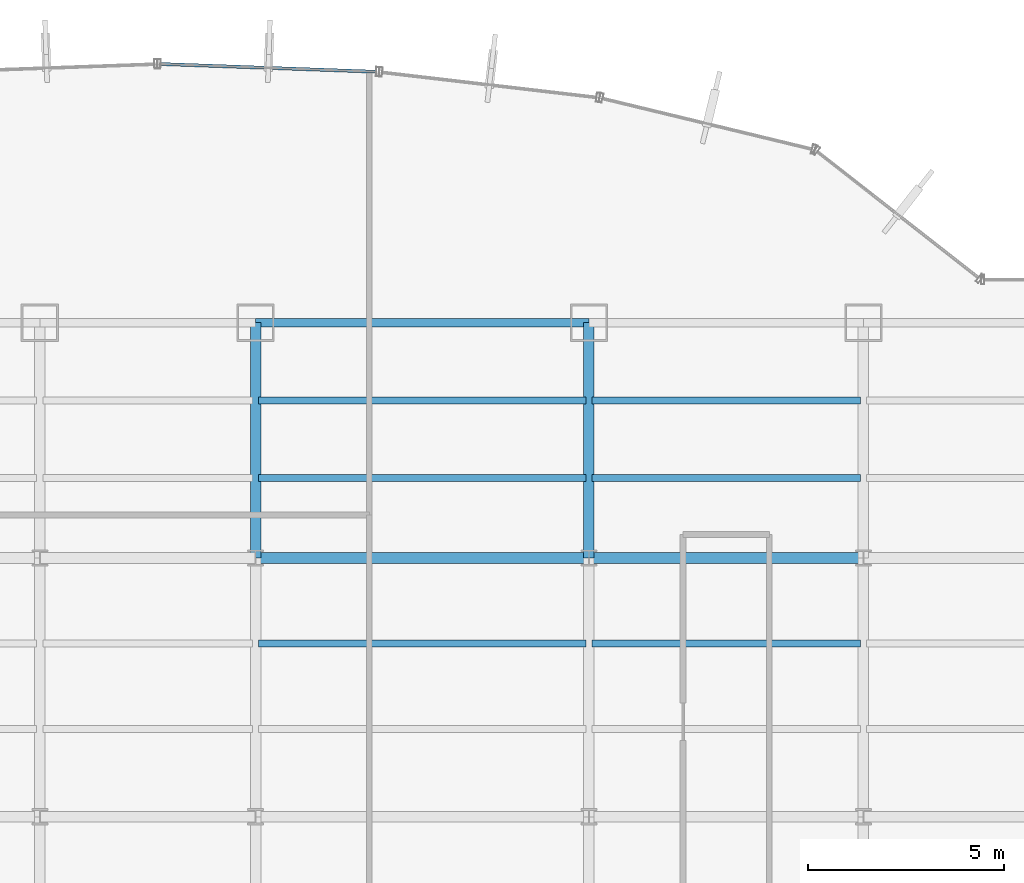
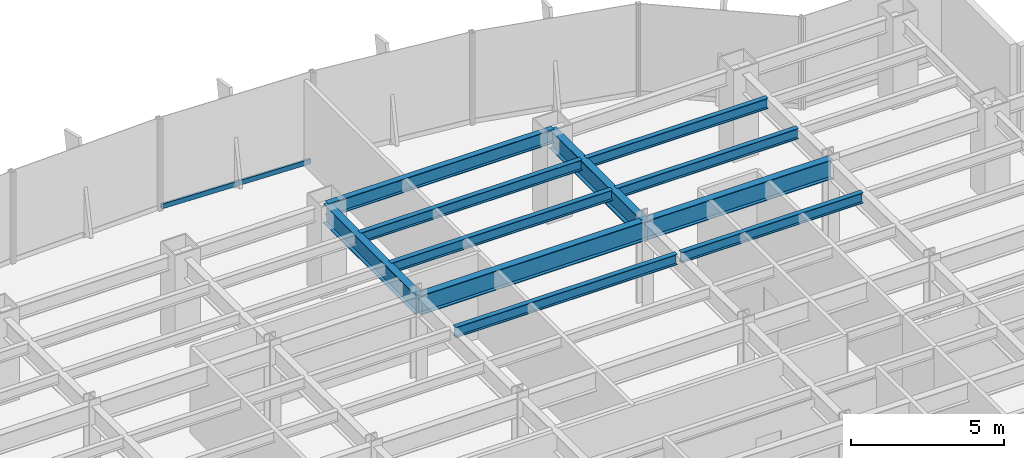
# One storey, part 13 of 22: 11 beams, 1 member, 1 element without a shape of its own.
"""IFC4 building model written with IfcOpenShell, lengths in metres."""

import ifcopenshell
import ifcopenshell.guid

model = None  # the IFC model being written
_history = None  # IfcOwnerHistory: only IFC2X3 demands one
_inside = {}  # id of a spatial element -> (the spatial element, [elements in it])
_under = {}  # id of a project, library or spatial element -> (it, [spatial elements below it])
_declared = {}  # id of a project -> (the project, [libraries it declares])
_typed = {}  # id of a type object -> (the type object, [elements of that type])
_made_of = {}  # id of a material, layer set ... -> (it, [elements and type objects made of it])


def new_model(schema):
    """Start an empty IFC model of exactly this schema.

    Asked for "IFC4X3", IfcOpenShell would pick the latest addendum, in which some entities
    have other attributes; the version numbers below select the first issue.
    IFC2X3 requires an IfcOwnerHistory on every rooted entity: one is made here for all.
    """
    global model, _history
    if schema == "IFC4X3":
        model = ifcopenshell.file(schema_version=(4, 3, 0, 0))
    else:
        model = ifcopenshell.file(schema=schema)
    _inside.clear()
    _under.clear()
    _declared.clear()
    _typed.clear()
    _made_of.clear()
    _history = None
    if model.schema == "IFC2X3":
        org = make("IfcOrganization", Name="unknown")
        user = make(
            "IfcPersonAndOrganization",
            ThePerson=make("IfcPerson", FamilyName="unknown"),
            TheOrganization=org,
        )
        app = make(
            "IfcApplication",
            ApplicationDeveloper=org,
            Version="unknown",
            ApplicationFullName="unknown",
            ApplicationIdentifier="unknown",
        )
        _history = make(
            "IfcOwnerHistory",
            OwningUser=user,
            OwningApplication=app,
            ChangeAction="ADDED",
            CreationDate=0,
        )
    return model


def make(cls, **values):
    """One entity of the class cls with the attributes given. An attribute that is None is left unset."""
    return model.create_entity(
        cls, **{name: value for name, value in values.items() if value is not None}
    )


def rooted(cls, **values):
    """An entity with a GlobalId (a new one), such as an element, a storey or a relation."""
    return make(cls, GlobalId=ifcopenshell.guid.new(), OwnerHistory=_history, **values)


def si_unit(unit_type, name, prefix=None):
    """IfcSIUnit, for example si_unit("LENGTHUNIT", "METRE", prefix="MILLI")."""
    return make("IfcSIUnit", UnitType=unit_type, Prefix=prefix, Name=name)


def derived_unit(unit_type, elements):
    """IfcDerivedUnit: a product of units, each with its exponent."""
    return make(
        "IfcDerivedUnit",
        Elements=[
            make("IfcDerivedUnitElement", Unit=unit, Exponent=power)
            for unit, power in elements
        ],
        UnitType=unit_type,
    )


def assignment(units):
    """IfcUnitAssignment: the units of a project."""
    return None if units is None else make("IfcUnitAssignment", Units=units)


def point(xyz):
    """IfcCartesianPoint."""
    return None if xyz is None else make("IfcCartesianPoint", Coordinates=xyz)


def direction(xyz):
    """IfcDirection."""
    return None if xyz is None else make("IfcDirection", DirectionRatios=xyz)


def frame(location, z_axis=None, x_axis=None):
    """IfcAxis2Placement3D, a coordinate frame: its origin and axes. An axis left out is left unset."""
    return make(
        "IfcAxis2Placement3D",
        Location=point(location),
        Axis=direction(z_axis),
        RefDirection=direction(x_axis),
    )


def frame_2d(location, x_axis=None):
    """IfcAxis2Placement2D, a coordinate frame in the plane: its origin and x axis."""
    return make(
        "IfcAxis2Placement2D", Location=point(location), RefDirection=direction(x_axis)
    )


def origin():
    """The frame at (0, 0, 0) with its axes left unset."""
    return frame((0.0, 0.0, 0.0))


def origin_2d():
    """The frame at (0, 0) in the plane with its x axis left unset."""
    return frame_2d((0.0, 0.0))


def place(relative_to, where):
    """IfcLocalPlacement: puts the frame where relative to a parent placement (None: the world)."""
    return make(
        "IfcLocalPlacement", PlacementRelTo=relative_to, RelativePlacement=where
    )


def context(
    kind, dimensions, precision=None, world=None, true_north=None, identifier=None
):
    """IfcGeometricRepresentationContext, for example the 3D "Model" context."""
    return make(
        "IfcGeometricRepresentationContext",
        ContextIdentifier=identifier,
        ContextType=kind,
        CoordinateSpaceDimension=dimensions,
        Precision=precision,
        WorldCoordinateSystem=world,
        TrueNorth=true_north,
    )


def subcontext(parent, identifier, kind, view, scale=None):
    """IfcGeometricRepresentationSubContext, for example "Body" below "Model"."""
    return make(
        "IfcGeometricRepresentationSubContext",
        ContextIdentifier=identifier,
        ContextType=kind,
        ParentContext=parent,
        TargetScale=scale,
        TargetView=view,
    )


def project(units=None, contexts=None):
    """IfcProject with its units and contexts."""
    return rooted(
        "IfcProject",
        Name="project",
        RepresentationContexts=contexts,
        UnitsInContext=assignment(units),
    )


def spatial(cls, under=None, at=None, **own):
    """A site, building, storey or space (cls), placed at a placement, below another one or the project."""
    s = rooted(cls, ObjectPlacement=at, **own)
    if under is not None:
        _under.setdefault(under.id(), (under, []))[1].append(s)
    return s


def profile(cls, at=None, kind="AREA", **sizes):
    """A parametric profile (cls). Its sizes go by their IFC names, for example OverallWidth=200.0."""
    return make(cls, ProfileType=kind, Position=at, **sizes)


def hollow_rectangle(**sizes):
    """IfcRectangleHollowProfileDef."""
    return profile("IfcRectangleHollowProfileDef", **sizes)


def i_section(**sizes):
    """IfcIShapeProfileDef."""
    return profile("IfcIShapeProfileDef", **sizes)


def extrude(swept, where, along, depth):
    """IfcExtrudedAreaSolid: the profile swept, set in the frame where, extruded along a direction by depth."""
    return make(
        "IfcExtrudedAreaSolid",
        SweptArea=swept,
        Position=where,
        ExtrudedDirection=direction(along),
        Depth=depth,
    )


def shape(context_of_items, identifier, shape_type, items):
    """IfcShapeRepresentation: the items that make up one representation, for example the "Body"."""
    return make(
        "IfcShapeRepresentation",
        ContextOfItems=context_of_items,
        RepresentationIdentifier=identifier,
        RepresentationType=shape_type,
        Items=items,
    )


def source(mapping_origin, context_of_items, identifier, shape_type, items):
    """IfcRepresentationMap: a shape defined once, which mapped items show again and again."""
    return make(
        "IfcRepresentationMap",
        MappingOrigin=mapping_origin,
        MappedRepresentation=shape(context_of_items, identifier, shape_type, items),
    )


def transform(
    local_origin,
    x_axis=None,
    y_axis=None,
    z_axis=None,
    scale=None,
    scale2=None,
    scale3=None,
    uniform=True,
):
    """IfcCartesianTransformationOperator3D, or its non-uniform kind. x_axis, y_axis, z_axis: its Axis1, 2, 3."""
    if uniform:
        return make(
            "IfcCartesianTransformationOperator3D",
            Axis1=direction(x_axis),
            Axis2=direction(y_axis),
            LocalOrigin=point(local_origin),
            Scale=scale,
            Axis3=direction(z_axis),
        )
    return make(
        "IfcCartesianTransformationOperator3DnonUniform",
        Axis1=direction(x_axis),
        Axis2=direction(y_axis),
        LocalOrigin=point(local_origin),
        Scale=scale,
        Axis3=direction(z_axis),
        Scale2=scale2,
        Scale3=scale3,
    )


def mapped(mapping_source, mapping_target):
    """IfcMappedItem: shows the shape of a source again, moved by a transform."""
    return make(
        "IfcMappedItem", MappingSource=mapping_source, MappingTarget=mapping_target
    )


def material(Name=None, Category=None):
    """IfcMaterial."""
    return make("IfcMaterial", Name=Name, Category=Category)


def material_profile(
    of_material, cross_section, Name=None, Category=None, Priority=None
):
    """IfcMaterialProfile: a cross section and its material."""
    return make(
        "IfcMaterialProfile",
        Name=Name,
        Material=of_material,
        Profile=cross_section,
        Priority=Priority,
        Category=Category,
    )


def profile_set(profiles, Name=None, composite=None):
    """IfcMaterialProfileSet."""
    return make(
        "IfcMaterialProfileSet",
        Name=Name,
        MaterialProfiles=profiles,
        CompositeProfile=composite,
    )


def made_of(thing, what):
    """Note that an element or type object is made of a material, layer set ...; save() writes the relation."""
    if what is not None:
        _made_of.setdefault(what.id(), (what, []))[1].append(thing)
    return thing


def type_object(cls, material=None, **own):
    """A type object (cls), such as IfcWallType, which elements share."""
    return made_of(rooted(cls, **own), material)


def element(
    cls,
    number,
    at=None,
    inside=None,
    cuts=None,
    type_object=None,
    material=None,
    context=None,
    identifier="Body",
    shape_type=None,
    held_by="IfcProductDefinitionShape",
    body=None,
    shapes=None,
    **own,
):
    """One element of the class cls, such as IfcWall. Its Tag is "e" and its number.

    at: its placement. inside: the storey or other place that contains it. cuts: it is an
    opening in that element (IfcRelVoidsElement). A single representation is given by context,
    identifier, shape_type and body (its items); several are given by shapes. held_by: the class
    of the entity that holds the representations. save() writes the other relations.
    """
    e = rooted(cls, Tag="e%d" % number, ObjectPlacement=at, **own)
    if body is not None:
        shapes = [shape(context, identifier, shape_type, body)]
    if shapes is not None:
        e.Representation = make(held_by, Representations=shapes)
    if inside is not None:
        _inside.setdefault(inside.id(), (inside, []))[1].append(e)
    if cuts is not None:
        rooted(
            "IfcRelVoidsElement", RelatingBuildingElement=cuts, RelatedOpeningElement=e
        )
    if type_object is not None:
        _typed.setdefault(type_object.id(), (type_object, []))[1].append(e)
    return made_of(e, material)


def aggregate(whole, parts):
    """IfcRelAggregates: a whole, such as a stair, and the parts it consists of."""
    return rooted("IfcRelAggregates", RelatingObject=whole, RelatedObjects=parts)


def save(model, path):
    """Write the relations noted so far, then the file.

    IfcRelAggregates (storeys below a building ...), IfcRelContainedInSpatialStructure (elements
    in a storey), IfcRelDefinesByType, IfcRelAssociatesMaterial and IfcRelDeclares: one each for
    every whole, place, type object, material and project.
    """
    for whole, parts in _under.values():
        aggregate(whole, parts)
    for where, things in _inside.values():
        rooted(
            "IfcRelContainedInSpatialStructure",
            RelatedElements=things,
            RelatingStructure=where,
        )
    for kind, things in _typed.values():
        rooted("IfcRelDefinesByType", RelatedObjects=things, RelatingType=kind)
    for what, things in _made_of.values():
        rooted("IfcRelAssociatesMaterial", RelatedObjects=things, RelatingMaterial=what)
    for by, libraries in _declared.values():
        rooted("IfcRelDeclares", RelatingContext=by, RelatedDefinitions=libraries)
    model.write(path)


model = new_model("IFC4")

# Units and contexts
model_context = context("Model", 3, precision=1e-05, world=origin(), true_north=direction((0.0, 1.0)))
body_context = subcontext(model_context, "Body", "Model", "MODEL_VIEW")
ifc_project = project(units=[si_unit("LENGTHUNIT", "METRE"), si_unit("AREAUNIT", "SQUARE_METRE"), si_unit("VOLUMEUNIT", "CUBIC_METRE"), si_unit("PLANEANGLEUNIT", "RADIAN"), si_unit("MASSUNIT", "GRAM", prefix="KILO"), derived_unit("THERMALTRANSMITTANCEUNIT", [(si_unit("POWERUNIT", "WATT"), 1), (si_unit("LENGTHUNIT", "METRE"), -2), (si_unit("THERMODYNAMICTEMPERATUREUNIT", "KELVIN"), -1)])], contexts=[model_context])

# Site, building, storey
site_placement = place(None, origin())
site = spatial("IfcSite", under=ifc_project, at=site_placement, CompositionType="ELEMENT")
building_placement = place(site_placement, origin())
building = spatial("IfcBuilding", under=site, at=building_placement, Name="Skarnbrae Concourse Arena and Tower", CompositionType="ELEMENT")
storey_placement = place(building_placement, frame((0.0, 0.0, 32.5)))
storey = spatial("IfcBuildingStorey", under=building, at=storey_placement, Name="L06", CompositionType="ELEMENT", Elevation=32.5)

# Beams
ifc_material_1 = material(Name="Steel CSA G40.21 350W", Category="steel")
ifc_material_profile_1 = material_profile(ifc_material_1, i_section(OverallWidth=0.26806640625, OverallDepth=0.77001953125, WebThickness=0.015625, FlangeThickness=0.025390625, at=origin_2d()), Name="W760X196")
ifc_profile_set_1 = profile_set([ifc_material_profile_1], Name="Steel CSA G40.21 350W")
beam_type_1 = type_object("IfcBeamType", Name="BM-GIRD-W760X196", PredefinedType="BEAM", material=ifc_profile_set_1)
shared_shape_1 = source(origin(), body_context, "Body", "SweptSolid", [
    extrude(i_section(OverallWidth=0.26806640625, OverallDepth=0.77001953125, WebThickness=0.015625, FlangeThickness=0.025390625, at=origin_2d()), origin(), (0.0, 0.0, 1.0), 7.0),
])
beam_1_placement = place(storey_placement, frame((42.0, 34.39990234375, 3.014892578125), z_axis=(1.0, 0.0, 0.0), x_axis=(0.0, 1.0, 0.0)))
element("IfcBeam", 1, at=beam_1_placement, inside=storey, type_object=beam_type_1, Name="L06 Primary E-W girder Y34.4-7", PredefinedType="BEAM", context=body_context, shape_type="MappedRepresentation", body=[
    mapped(shared_shape_1, transform((0.0, 0.0, 0.0))),
])
shared_shape_2 = source(origin(), body_context, "Body", "SweptSolid", [
    extrude(i_section(OverallWidth=0.26806640625, OverallDepth=0.77001953125, WebThickness=0.015625, FlangeThickness=0.025390625, at=origin_2d()), origin(), (0.0, 0.0, 1.0), 8.5),
])
beam_2_placement = place(storey_placement, frame((33.5, 34.39990234375, 3.014892578125), z_axis=(1.0, 0.0, 0.0), x_axis=(0.0, 1.0, 0.0)))
element("IfcBeam", 2, at=beam_2_placement, inside=storey, type_object=beam_type_1, Name="L06 Primary E-W girder Y34.4-6", PredefinedType="BEAM", context=body_context, shape_type="MappedRepresentation", body=[
    mapped(shared_shape_2, transform((0.0, 0.0, 0.0))),
])
shared_shape_3 = source(origin(), body_context, "Body", "SweptSolid", [
    extrude(i_section(OverallWidth=0.26806640625, OverallDepth=0.77001953125, WebThickness=0.015625, FlangeThickness=0.025390625, at=origin_2d()), origin(), (0.0, 0.0, 1.0), 6.0),
])
for number, where, z_axis, x_axis, name in (
    (3, (33.5, 34.39990234375, 3.014892578125), (0.0, 1.0, 0.0), (-1.0, 0.0, 0.0), "L06 Primary N-S girder X33.5-4"),
    (4, (42.0, 34.39990234375, 3.014892578125), (0.0, 1.0, 0.0), (-1.0, 0.0, 0.0), "L06 Primary N-S girder X42.0-5"),
):
    element("IfcBeam", number, at=place(storey_placement, frame(where, z_axis=z_axis, x_axis=x_axis)), inside=storey, type_object=beam_type_1, Name=name, PredefinedType="BEAM", context=body_context, shape_type="MappedRepresentation", body=[
        mapped(shared_shape_3, transform((0.0, 0.0, 0.0))),
    ])
ifc_material_profile_2 = material_profile(ifc_material_1, i_section(OverallWidth=0.214111328125, OverallDepth=0.549072265625, WebThickness=0.0146484375, FlangeThickness=0.023681640625, at=origin_2d()), Name="W530X138")
ifc_profile_set_2 = profile_set([ifc_material_profile_2], Name="Steel CSA G40.21 350W")
beam_type_2 = type_object("IfcBeamType", Name="BM-SPAN-W530X138", PredefinedType="SPANDREL", material=ifc_profile_set_2)
shared_shape_4 = source(origin(), body_context, "Body", "SweptSolid", [
    extrude(i_section(OverallWidth=0.214111328125, OverallDepth=0.549072265625, WebThickness=0.0146484375, FlangeThickness=0.023681640625, at=origin_2d()), origin(), (0.0, 0.0, 1.0), 8.5),
])
beam_3_placement = place(storey_placement, frame((33.5, 40.39990234375, 3.12548828125), z_axis=(1.0, 0.0, 0.0), x_axis=(0.0, 1.0, 0.0)))
element("IfcBeam", 5, at=beam_3_placement, inside=storey, type_object=beam_type_2, Name="L06 Perimeter spandrel Y40.4-5", PredefinedType="SPANDREL", context=body_context, shape_type="MappedRepresentation", body=[
    mapped(shared_shape_4, transform((0.0, 0.0, 0.0))),
])
ifc_material_profile_3 = material_profile(ifc_material_1, i_section(OverallWidth=0.180908203125, OverallDepth=0.4169921875, WebThickness=0.010986328125, FlangeThickness=0.018310546875, at=origin_2d()), Name="W410X85")
ifc_profile_set_3 = profile_set([ifc_material_profile_3], Name="Steel CSA G40.21 350W")
beam_type_3 = type_object("IfcBeamType", Name="BM-JOIST-W410X85", PredefinedType="JOIST", material=ifc_profile_set_3)
shared_shape_5 = source(origin(), body_context, "Body", "SweptSolid", [
    extrude(i_section(OverallWidth=0.180908203125, OverallDepth=0.4169921875, WebThickness=0.010986328125, FlangeThickness=0.018310546875, at=origin_2d()), origin(), (0.0, 0.0, 1.0), 8.33984375),
])
for number, where, z_axis, x_axis, name in (
    (6, (33.580078125, 32.221923828125, 3.19140625), (1.0, 0.0, 0.0), (0.0, 1.0, 0.0), "L06 Secondary floor joist 3.2.6"),
    (7, (33.580078125, 36.43994140625, 3.19140625), (1.0, 0.0, 0.0), (0.0, 1.0, 0.0), "L06 Secondary floor joist 4.1.5"),
    (8, (33.580078125, 38.419921875, 3.19140625), (1.0, 0.0, 0.0), (0.0, 1.0, 0.0), "L06 Secondary floor joist 4.2.5"),
):
    element("IfcBeam", number, at=place(storey_placement, frame(where, z_axis=z_axis, x_axis=x_axis)), inside=storey, type_object=beam_type_3, Name=name, PredefinedType="JOIST", context=body_context, shape_type="MappedRepresentation", body=[
        mapped(shared_shape_5, transform((0.0, 0.0, 0.0))),
    ])
shared_shape_6 = source(origin(), body_context, "Body", "SweptSolid", [
    extrude(i_section(OverallWidth=0.180908203125, OverallDepth=0.4169921875, WebThickness=0.010986328125, FlangeThickness=0.018310546875, at=origin_2d()), origin(), (0.0, 0.0, 1.0), 6.83984375),
])
for number, where, z_axis, x_axis, name in (
    (9, (42.080078125, 32.221923828125, 3.19140625), (1.0, 0.0, 0.0), (0.0, 1.0, 0.0), "L06 Secondary floor joist 3.2.7"),
    (10, (42.080078125, 36.43994140625, 3.19140625), (1.0, 0.0, 0.0), (0.0, 1.0, 0.0), "L06 Secondary floor joist 4.1.6"),
    (11, (42.080078125, 38.419921875, 3.19140625), (1.0, 0.0, 0.0), (0.0, 1.0, 0.0), "L06 Secondary floor joist 4.2.6"),
):
    element("IfcBeam", number, at=place(storey_placement, frame(where, z_axis=z_axis, x_axis=x_axis)), inside=storey, type_object=beam_type_3, Name=name, PredefinedType="JOIST", context=body_context, shape_type="MappedRepresentation", body=[
        mapped(shared_shape_6, transform((0.0, 0.0, 0.0))),
    ])

# Curtain wall, member
ifc_material_2 = material(Name="Bronze anodised aluminium 6063-T6", Category="aluminium")
curtain_wall_type = type_object("IfcCurtainWallType", Name="CW-SYS-02-LOWZONE", PredefinedType="USERDEFINED", material=ifc_material_2)
curtain_wall_placement = place(storey_placement, origin())
curtain_wall = element("IfcCurtainWall", 12, at=curtain_wall_placement, inside=storey, type_object=curtain_wall_type, Name="L06 Unitised curtain wall CW-L06-E11", ObjectType="UNITISED CURTAIN WALL", PredefinedType="USERDEFINED")
ifc_material_profile_4 = material_profile(ifc_material_2, hollow_rectangle(XDim=0.080078125, YDim=0.18994140625, WallThickness=0.0048828125, at=origin_2d()), Name="ALU-TRAN-80X190")
ifc_profile_set_4 = profile_set([ifc_material_profile_4], Name="Bronze anodised aluminium 6063-T6")
member_type = type_object("IfcMemberType", Name="CWT-CW-02", PredefinedType="USERDEFINED", material=ifc_profile_set_4)
shared_shape_7 = source(origin(), body_context, "Body", "SweptSolid", [
    extrude(hollow_rectangle(XDim=0.080078125, YDim=0.18994140625, WallThickness=0.0048828125, at=origin_2d()), origin(), (0.0, 0.0, 1.0), 5.497802734375),
])
member_placement = place(storey_placement, frame((36.573974609375, 46.7998046875, 0.094970703125), z_axis=(-0.999356047798, 0.03588160712, 0.0), x_axis=(-0.03588160712, -0.999356047798, 0.0)))
member = element("IfcMember", 13, at=member_placement, type_object=member_type, Name="CW-L06-E11 Transom 1", ObjectType="TRANSOM", PredefinedType="USERDEFINED", context=body_context, shape_type="MappedRepresentation", body=[
    mapped(shared_shape_7, transform((0.0, 0.0, 0.0))),
])
aggregate(curtain_wall, [member])

save(model, "model.ifc")
